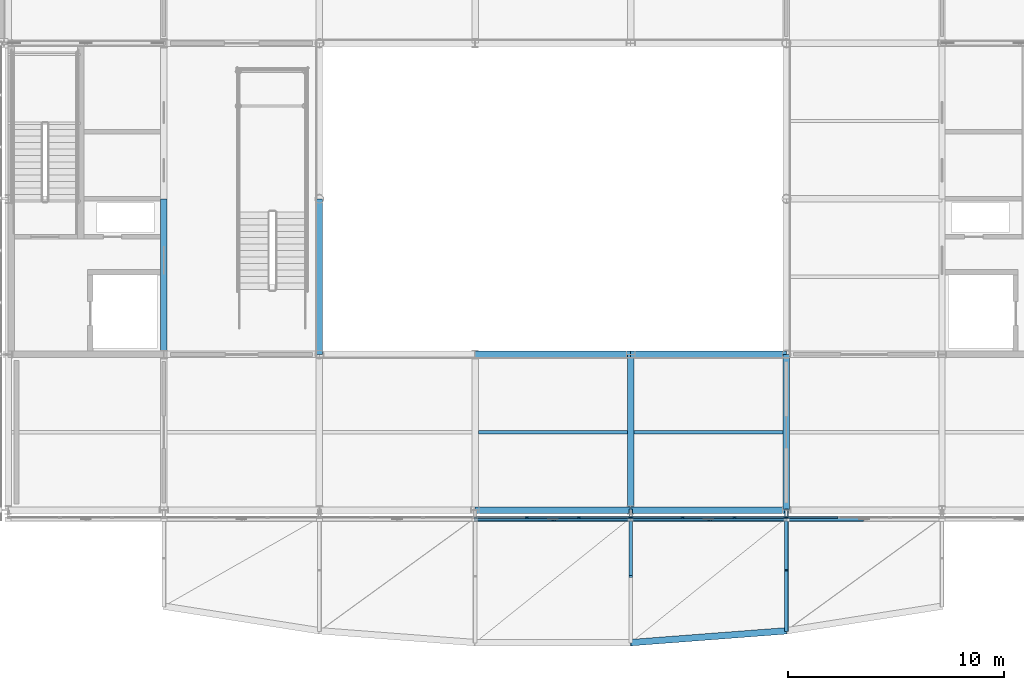
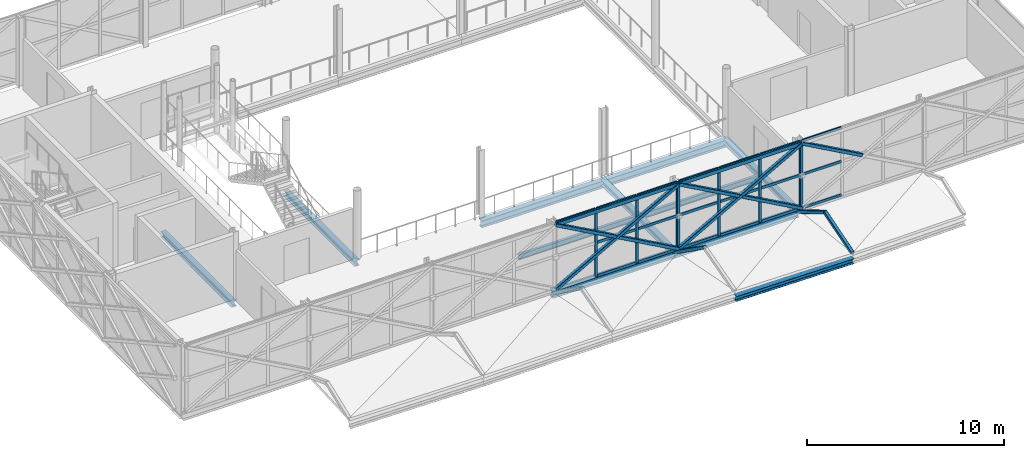
# One storey, part 39 of 146: 40 members, 10 beams, 3 elements without a shape of their own.
"""IFC4 building model written with IfcOpenShell, lengths in metres."""

from ifc_helpers import new_model, si_unit, direction, frame, origin, origin_2d, place, context, subcontext, project, spatial, rectangle, hollow_rectangle, i_section, extrude, material, material_profile, profile_set, type_object, element, aggregate, save


model = new_model("IFC4")

# Units and contexts
model_context = context("Model", 3, precision=1e-05, world=origin(), true_north=direction((0.0, 1.0)))
body_context = subcontext(model_context, "Body", "Model", "MODEL_VIEW")
ifc_project = project(units=[si_unit("LENGTHUNIT", "METRE"), si_unit("AREAUNIT", "SQUARE_METRE"), si_unit("VOLUMEUNIT", "CUBIC_METRE"), si_unit("PLANEANGLEUNIT", "RADIAN"), si_unit("MASSUNIT", "GRAM", prefix="KILO")], contexts=[model_context])

# Site, building, storey
site_placement = place(None, origin())
site = spatial("IfcSite", under=ifc_project, at=site_placement, CompositionType="ELEMENT")
building_placement = place(site_placement, origin())
building = spatial("IfcBuilding", under=site, at=building_placement, Name="Zlatovets Crest Museum", CompositionType="ELEMENT")
storey_placement = place(building_placement, frame((0.0, 0.0, 4.5)))
storey = spatial("IfcBuildingStorey", under=building, at=storey_placement, Name="L01", CompositionType="ELEMENT", Elevation=4.5)

# Beams
ifc_material_1 = material(Name="Structural steel S355J2", Category="steel")
ifc_material_profile_1 = material_profile(ifc_material_1, i_section(OverallWidth=0.300048828125, OverallDepth=0.35009765625, WebThickness=0.010009765625, FlangeThickness=0.017578125, FilletRadius=0.027099609375, at=origin_2d()), Name="HEA 360")
ifc_profile_set_1 = profile_set([ifc_material_profile_1], Name="Structural steel S355J2")
beam_type_1 = type_object("IfcBeamType", Name="Beam_B-03", PredefinedType="BEAM", material=ifc_profile_set_1)
for number, where, z_axis, x_axis, name in (
    (1, (64.800048828125, 7.199951171875, -0.39501953125), (0.0, 1.0, 0.0), (-1.0, 0.0, 0.0), "V2 L01 Grid Beam B-03"),
    (2, (72.0, 7.199951171875, -0.39501953125), (0.0, 1.0, 0.0), (-1.0, 0.0, 0.0), "V2 L01 Grid Beam B-03"),
    (3, (86.39990234375, 0.0, -0.39501953125), (0.0, 1.0, 0.0), (-1.0, 0.0, 0.0), "V2 L01 Grid Beam B-03"),
    (4, (93.60009765625, 0.0, -0.39501953125), (0.0, 1.0, 0.0), (-1.0, 0.0, 0.0), "V2 L01 Grid Beam B-03"),
):
    element("IfcBeam", number, at=place(storey_placement, frame(where, z_axis=z_axis, x_axis=x_axis)), inside=storey, type_object=beam_type_1, Name=name, PredefinedType="BEAM", context=body_context, shape_type="SweptSolid", body=[
        extrude(i_section(OverallWidth=0.300048828125, OverallDepth=0.35009765625, WebThickness=0.010009765625, FlangeThickness=0.017578125, FilletRadius=0.027099609375, at=origin_2d()), origin(), (0.0, 0.0, 1.0), 7.199951171875),
    ])
ifc_material_profile_2 = material_profile(ifc_material_1, i_section(OverallWidth=0.300048828125, OverallDepth=0.43994140625, WebThickness=0.011474609375, FlangeThickness=0.02099609375, FilletRadius=0.027099609375, at=origin_2d()), Name="HEA 450")
ifc_profile_set_2 = profile_set([ifc_material_profile_2], Name="Structural steel S355J2")
beam_type_2 = type_object("IfcBeamType", Name="Beam_B-10", PredefinedType="BEAM", material=ifc_profile_set_2)
beam_1_placement = place(storey_placement, frame((79.199951171875, 0.0, -0.43994140625), z_axis=(1.0, 0.0, 0.0), x_axis=(0.0, 1.0, 0.0)))
element("IfcBeam", 5, at=beam_1_placement, inside=storey, type_object=beam_type_2, Name="V2 L01 Primary Girder B-10", PredefinedType="BEAM", context=body_context, shape_type="SweptSolid", body=[
    extrude(i_section(OverallWidth=0.300048828125, OverallDepth=0.43994140625, WebThickness=0.011474609375, FlangeThickness=0.02099609375, FilletRadius=0.027099609375, at=origin_2d()), origin(), (0.0, 0.0, 1.0), 7.199951171875),
])
beam_2_placement = place(storey_placement, frame((86.39990234375, 0.0, -0.43994140625), z_axis=(1.0, 0.0, 0.0), x_axis=(0.0, 1.0, 0.0)))
element("IfcBeam", 6, at=beam_2_placement, inside=storey, type_object=beam_type_2, Name="V2 L01 Primary Girder B-10", PredefinedType="BEAM", context=body_context, shape_type="SweptSolid", body=[
    extrude(i_section(OverallWidth=0.300048828125, OverallDepth=0.43994140625, WebThickness=0.011474609375, FlangeThickness=0.02099609375, FilletRadius=0.027099609375, at=origin_2d()), origin(), (0.0, 0.0, 1.0), 7.2001953125),
])
beam_3_placement = place(storey_placement, frame((79.199951171875, 7.199951171875, -0.43994140625), z_axis=(1.0, 0.0, 0.0), x_axis=(0.0, 1.0, 0.0)))
element("IfcBeam", 7, at=beam_3_placement, inside=storey, type_object=beam_type_2, Name="V2 L01 Primary Girder B-10", PredefinedType="BEAM", context=body_context, shape_type="SweptSolid", body=[
    extrude(i_section(OverallWidth=0.300048828125, OverallDepth=0.43994140625, WebThickness=0.011474609375, FlangeThickness=0.02099609375, FilletRadius=0.027099609375, at=origin_2d()), origin(), (0.0, 0.0, 1.0), 7.199951171875),
])
beam_4_placement = place(storey_placement, frame((86.39990234375, 7.199951171875, -0.43994140625), z_axis=(1.0, 0.0, 0.0), x_axis=(0.0, 1.0, 0.0)))
element("IfcBeam", 8, at=beam_4_placement, inside=storey, type_object=beam_type_2, Name="V2 L01 Primary Girder B-10", PredefinedType="BEAM", context=body_context, shape_type="SweptSolid", body=[
    extrude(i_section(OverallWidth=0.300048828125, OverallDepth=0.43994140625, WebThickness=0.011474609375, FlangeThickness=0.02099609375, FilletRadius=0.027099609375, at=origin_2d()), origin(), (0.0, 0.0, 1.0), 7.2001953125),
])
ifc_material_profile_3 = material_profile(ifc_material_1, i_section(OverallWidth=0.159912109375, OverallDepth=0.330078125, WebThickness=0.007568359375, FlangeThickness=0.011474609375, FilletRadius=0.01806640625, at=origin_2d()), Name="IPE 330")
ifc_profile_set_3 = profile_set([ifc_material_profile_3], Name="Structural steel S355J2")
beam_type_3 = type_object("IfcBeamType", Name="Beam_J-09", PredefinedType="JOIST", material=ifc_profile_set_3)
for number, where, z_axis, x_axis, name in (
    (9, (79.35009765625, 3.60009765625, -0.385009765625), (1.0, 0.0, 0.0), (0.0, 1.0, 0.0), "V2 L01 Composite Joist J-09"),
    (10, (86.550048828125, 3.60009765625, -0.385009765625), (1.0, 0.0, 0.0), (0.0, 1.0, 0.0), "V2 L01 Composite Joist J-09"),
):
    element("IfcBeam", number, at=place(storey_placement, frame(where, z_axis=z_axis, x_axis=x_axis)), inside=storey, type_object=beam_type_3, Name=name, PredefinedType="JOIST", context=body_context, shape_type="SweptSolid", body=[
        extrude(i_section(OverallWidth=0.159912109375, OverallDepth=0.330078125, WebThickness=0.007568359375, FlangeThickness=0.011474609375, FilletRadius=0.01806640625, at=origin_2d()), origin(), (0.0, 0.0, 1.0), 6.89990234375),
    ])

# Curtain wall, members
ifc_material_2 = material(Name="Bronze-anodised aluminium and low-E triple glass", Category="aluminium")
curtain_wall_type_1 = type_object("IfcCurtainWallType", Name="CW_CW-V2-L01-M3", PredefinedType="NOTDEFINED", material=ifc_material_2)
curtain_wall_1_placement = place(storey_placement, origin())
curtain_wall_1 = element("IfcCurtainWall", 11, at=curtain_wall_1_placement, inside=storey, type_object=curtain_wall_type_1, Name="V2 L01 Secession Foyer Clear Curtain Wall", PredefinedType="NOTDEFINED")
ifc_material_3 = material(Name="Bronze-anodised aluminium EN AW-6060", Category="aluminium")
ifc_material_profile_4 = material_profile(ifc_material_3, rectangle(XDim=0.080078125, YDim=0.159912109375, at=origin_2d()), Name="ALU 80x160")
ifc_profile_set_4 = profile_set([ifc_material_profile_4], Name="Bronze-anodised aluminium EN AW-6060")
member_type_1 = type_object("IfcMemberType", Name="CWMull_M1", PredefinedType="MULLION", material=ifc_profile_set_4)
member_1_placement = place(storey_placement, frame((81.60009765625, -0.340087890625, 0.0), z_axis=(0.0, 0.0, 1.0), x_axis=(0.0, 1.0, 0.0)))
member_1 = element("IfcMember", 12, at=member_1_placement, type_object=member_type_1, Name="CW-V2-L01-M3 mullion 2", PredefinedType="MULLION", context=body_context, shape_type="SweptSolid", body=[
    extrude(rectangle(XDim=0.080078125, YDim=0.159912109375, at=origin_2d()), origin(), (0.0, 0.0, 1.0), 4.199951171875),
])
member_2_placement = place(storey_placement, frame((84.0, -0.340087890625, 0.0), z_axis=(0.0, 0.0, 1.0), x_axis=(0.0, 1.0, 0.0)))
member_2 = element("IfcMember", 13, at=member_2_placement, type_object=member_type_1, Name="CW-V2-L01-M3 mullion 3", PredefinedType="MULLION", context=body_context, shape_type="SweptSolid", body=[
    extrude(rectangle(XDim=0.080078125, YDim=0.159912109375, at=origin_2d()), origin(), (0.0, 0.0, 1.0), 4.199951171875),
])
member_3_placement = place(storey_placement, frame((86.3701171875, -0.340087890625, 0.0), z_axis=(0.0, 0.0, 1.0), x_axis=(0.0, 1.0, 0.0)))
member_3 = element("IfcMember", 14, at=member_3_placement, type_object=member_type_1, Name="CW-V2-L01-M3 mullion 4", PredefinedType="MULLION", context=body_context, shape_type="SweptSolid", body=[
    extrude(rectangle(XDim=0.080078125, YDim=0.159912109375, at=origin_2d()), origin(), (0.0, 0.0, 1.0), 4.199951171875),
])

curtain_wall_type_2 = type_object("IfcCurtainWallType", Name="CW_CW-V2-L01-M0", PredefinedType="NOTDEFINED", material=ifc_material_2)
curtain_wall_2_placement = place(storey_placement, origin())
curtain_wall_2 = element("IfcCurtainWall", 15, at=curtain_wall_2_placement, inside=storey, type_object=curtain_wall_type_2, Name="V2 L01 Secession Foyer Clear Curtain Wall", PredefinedType="NOTDEFINED")
member_4_placement = place(storey_placement, frame((86.429931640625, -0.340087890625, 0.0), z_axis=(0.0, 0.0, 1.0), x_axis=(0.0, 1.0, 0.0)))
member_4 = element("IfcMember", 16, at=member_4_placement, type_object=member_type_1, Name="CW-V2-L01-M0 mullion 1", PredefinedType="MULLION", context=body_context, shape_type="SweptSolid", body=[
    extrude(rectangle(XDim=0.080078125, YDim=0.159912109375, at=origin_2d()), origin(), (0.0, 0.0, 1.0), 4.199951171875),
])
member_5_placement = place(storey_placement, frame((88.800048828125, -0.340087890625, 0.0), z_axis=(0.0, 0.0, 1.0), x_axis=(0.0, 1.0, 0.0)))
member_5 = element("IfcMember", 17, at=member_5_placement, type_object=member_type_1, Name="CW-V2-L01-M0 mullion 2", PredefinedType="MULLION", context=body_context, shape_type="SweptSolid", body=[
    extrude(rectangle(XDim=0.080078125, YDim=0.159912109375, at=origin_2d()), origin(), (0.0, 0.0, 1.0), 4.199951171875),
])
member_6_placement = place(storey_placement, frame((91.199951171875, -0.340087890625, 0.0), z_axis=(0.0, 0.0, 1.0), x_axis=(0.0, 1.0, 0.0)))
member_6 = element("IfcMember", 18, at=member_6_placement, type_object=member_type_1, Name="CW-V2-L01-M0 mullion 3", PredefinedType="MULLION", context=body_context, shape_type="SweptSolid", body=[
    extrude(rectangle(XDim=0.080078125, YDim=0.159912109375, at=origin_2d()), origin(), (0.0, 0.0, 1.0), 4.199951171875),
])
member_7_placement = place(storey_placement, frame((93.570068359375, -0.340087890625, 0.0), z_axis=(0.0, 0.0, 1.0), x_axis=(0.0, 1.0, 0.0)))
member_7 = element("IfcMember", 19, at=member_7_placement, type_object=member_type_1, Name="CW-V2-L01-M0 mullion 4", PredefinedType="MULLION", context=body_context, shape_type="SweptSolid", body=[
    extrude(rectangle(XDim=0.080078125, YDim=0.159912109375, at=origin_2d()), origin(), (0.0, 0.0, 1.0), 4.199951171875),
])

# Curtain wall, member
curtain_wall_type_3 = type_object("IfcCurtainWallType", Name="CW_CW-V2-L01-M1", PredefinedType="NOTDEFINED", material=ifc_material_2)
curtain_wall_3_placement = place(storey_placement, origin())
curtain_wall_3 = element("IfcCurtainWall", 20, at=curtain_wall_3_placement, inside=storey, type_object=curtain_wall_type_3, Name="V2 L01 Secession Foyer Clear Curtain Wall", PredefinedType="NOTDEFINED")
member_8_placement = place(storey_placement, frame((93.6298828125, -0.340087890625, 0.0), z_axis=(0.0, 0.0, 1.0), x_axis=(0.0, 1.0, 0.0)))
member_8 = element("IfcMember", 21, at=member_8_placement, type_object=member_type_1, Name="CW-V2-L01-M1 mullion 1", PredefinedType="MULLION", context=body_context, shape_type="SweptSolid", body=[
    extrude(rectangle(XDim=0.080078125, YDim=0.159912109375, at=origin_2d()), origin(), (0.0, 0.0, 1.0), 4.199951171875),
])

# Member
ifc_material_profile_5 = material_profile(ifc_material_3, rectangle(XDim=0.080078125, YDim=0.159912109375, at=origin_2d()), Name="ALU 80x160")
ifc_profile_set_5 = profile_set([ifc_material_profile_5], Name="Bronze-anodised aluminium EN AW-6060")
member_type_2 = type_object("IfcMemberType", Name="CWTrans_T1", PredefinedType="USERDEFINED", material=ifc_profile_set_5)
member_9_placement = place(storey_placement, frame((79.260009765625, -0.340087890625, 4.169921875), z_axis=(1.0, 0.0, 0.0), x_axis=(0.0, 1.0, 0.0)))
member_9 = element("IfcMember", 22, at=member_9_placement, type_object=member_type_2, Name="CW-V2-L01-M3 transom 1.3", ObjectType="TRANSOM", PredefinedType="USERDEFINED", context=body_context, shape_type="SweptSolid", body=[
    extrude(rectangle(XDim=0.080078125, YDim=0.159912109375, at=origin_2d()), origin(), (0.0, 0.0, 1.0), 2.31005859375),
])

member_10_placement = place(storey_placement, frame((81.6298828125, -0.340087890625, 0.030029296875), z_axis=(1.0, 0.0, 0.0), x_axis=(0.0, 1.0, 0.0)))
member_10 = element("IfcMember", 23, at=member_10_placement, type_object=member_type_2, Name="CW-V2-L01-M3 transom 2.1", ObjectType="TRANSOM", PredefinedType="USERDEFINED", context=body_context, shape_type="SweptSolid", body=[
    extrude(rectangle(XDim=0.080078125, YDim=0.159912109375, at=origin_2d()), origin(), (0.0, 0.0, 1.0), 2.340087890625),
])

member_11_placement = place(storey_placement, frame((81.6298828125, -0.340087890625, 2.10009765625), z_axis=(1.0, 0.0, 0.0), x_axis=(0.0, 1.0, 0.0)))
member_11 = element("IfcMember", 24, at=member_11_placement, type_object=member_type_2, Name="CW-V2-L01-M3 transom 2.2", ObjectType="TRANSOM", PredefinedType="USERDEFINED", context=body_context, shape_type="SweptSolid", body=[
    extrude(rectangle(XDim=0.080078125, YDim=0.159912109375, at=origin_2d()), origin(), (0.0, 0.0, 1.0), 2.340087890625),
])

member_12_placement = place(storey_placement, frame((81.6298828125, -0.340087890625, 4.169921875), z_axis=(1.0, 0.0, 0.0), x_axis=(0.0, 1.0, 0.0)))
member_12 = element("IfcMember", 25, at=member_12_placement, type_object=member_type_2, Name="CW-V2-L01-M3 transom 2.3", ObjectType="TRANSOM", PredefinedType="USERDEFINED", context=body_context, shape_type="SweptSolid", body=[
    extrude(rectangle(XDim=0.080078125, YDim=0.159912109375, at=origin_2d()), origin(), (0.0, 0.0, 1.0), 2.340087890625),
])

member_13_placement = place(storey_placement, frame((84.030029296875, -0.340087890625, 0.030029296875), z_axis=(1.0, 0.0, 0.0), x_axis=(0.0, 1.0, 0.0)))
member_13 = element("IfcMember", 26, at=member_13_placement, type_object=member_type_2, Name="CW-V2-L01-M3 transom 3.1", ObjectType="TRANSOM", PredefinedType="USERDEFINED", context=body_context, shape_type="SweptSolid", body=[
    extrude(rectangle(XDim=0.080078125, YDim=0.159912109375, at=origin_2d()), origin(), (0.0, 0.0, 1.0), 2.31005859375),
])

member_14_placement = place(storey_placement, frame((84.030029296875, -0.340087890625, 2.10009765625), z_axis=(1.0, 0.0, 0.0), x_axis=(0.0, 1.0, 0.0)))
member_14 = element("IfcMember", 27, at=member_14_placement, type_object=member_type_2, Name="CW-V2-L01-M3 transom 3.2", ObjectType="TRANSOM", PredefinedType="USERDEFINED", context=body_context, shape_type="SweptSolid", body=[
    extrude(rectangle(XDim=0.080078125, YDim=0.159912109375, at=origin_2d()), origin(), (0.0, 0.0, 1.0), 2.31005859375),
])

member_15_placement = place(storey_placement, frame((84.030029296875, -0.340087890625, 4.169921875), z_axis=(1.0, 0.0, 0.0), x_axis=(0.0, 1.0, 0.0)))
member_15 = element("IfcMember", 28, at=member_15_placement, type_object=member_type_2, Name="CW-V2-L01-M3 transom 3.3", ObjectType="TRANSOM", PredefinedType="USERDEFINED", context=body_context, shape_type="SweptSolid", body=[
    extrude(rectangle(XDim=0.080078125, YDim=0.159912109375, at=origin_2d()), origin(), (0.0, 0.0, 1.0), 2.31005859375),
])

aggregate(curtain_wall_1, [member_1, member_2, member_3, member_9, member_10, member_11, member_12, member_13, member_14, member_15])

member_16_placement = place(storey_placement, frame((86.4599609375, -0.340087890625, 0.030029296875), z_axis=(1.0, 0.0, 0.0), x_axis=(0.0, 1.0, 0.0)))
member_16 = element("IfcMember", 29, at=member_16_placement, type_object=member_type_2, Name="CW-V2-L01-M0 transom 1.1", ObjectType="TRANSOM", PredefinedType="USERDEFINED", context=body_context, shape_type="SweptSolid", body=[
    extrude(rectangle(XDim=0.080078125, YDim=0.159912109375, at=origin_2d()), origin(), (0.0, 0.0, 1.0), 2.31005859375),
])

member_17_placement = place(storey_placement, frame((86.4599609375, -0.340087890625, 2.10009765625), z_axis=(1.0, 0.0, 0.0), x_axis=(0.0, 1.0, 0.0)))
member_17 = element("IfcMember", 30, at=member_17_placement, type_object=member_type_2, Name="CW-V2-L01-M0 transom 1.2", ObjectType="TRANSOM", PredefinedType="USERDEFINED", context=body_context, shape_type="SweptSolid", body=[
    extrude(rectangle(XDim=0.080078125, YDim=0.159912109375, at=origin_2d()), origin(), (0.0, 0.0, 1.0), 2.31005859375),
])

member_18_placement = place(storey_placement, frame((86.4599609375, -0.340087890625, 4.169921875), z_axis=(1.0, 0.0, 0.0), x_axis=(0.0, 1.0, 0.0)))
member_18 = element("IfcMember", 31, at=member_18_placement, type_object=member_type_2, Name="CW-V2-L01-M0 transom 1.3", ObjectType="TRANSOM", PredefinedType="USERDEFINED", context=body_context, shape_type="SweptSolid", body=[
    extrude(rectangle(XDim=0.080078125, YDim=0.159912109375, at=origin_2d()), origin(), (0.0, 0.0, 1.0), 2.31005859375),
])

member_19_placement = place(storey_placement, frame((88.830078125, -0.340087890625, 0.030029296875), z_axis=(1.0, 0.0, 0.0), x_axis=(0.0, 1.0, 0.0)))
member_19 = element("IfcMember", 32, at=member_19_placement, type_object=member_type_2, Name="CW-V2-L01-M0 transom 2.1", ObjectType="TRANSOM", PredefinedType="USERDEFINED", context=body_context, shape_type="SweptSolid", body=[
    extrude(rectangle(XDim=0.080078125, YDim=0.159912109375, at=origin_2d()), origin(), (0.0, 0.0, 1.0), 2.33984375),
])

member_20_placement = place(storey_placement, frame((88.830078125, -0.340087890625, 2.10009765625), z_axis=(1.0, 0.0, 0.0), x_axis=(0.0, 1.0, 0.0)))
member_20 = element("IfcMember", 33, at=member_20_placement, type_object=member_type_2, Name="CW-V2-L01-M0 transom 2.2", ObjectType="TRANSOM", PredefinedType="USERDEFINED", context=body_context, shape_type="SweptSolid", body=[
    extrude(rectangle(XDim=0.080078125, YDim=0.159912109375, at=origin_2d()), origin(), (0.0, 0.0, 1.0), 2.33984375),
])

member_21_placement = place(storey_placement, frame((88.830078125, -0.340087890625, 4.169921875), z_axis=(1.0, 0.0, 0.0), x_axis=(0.0, 1.0, 0.0)))
member_21 = element("IfcMember", 34, at=member_21_placement, type_object=member_type_2, Name="CW-V2-L01-M0 transom 2.3", ObjectType="TRANSOM", PredefinedType="USERDEFINED", context=body_context, shape_type="SweptSolid", body=[
    extrude(rectangle(XDim=0.080078125, YDim=0.159912109375, at=origin_2d()), origin(), (0.0, 0.0, 1.0), 2.33984375),
])

member_22_placement = place(storey_placement, frame((91.22998046875, -0.340087890625, 0.030029296875), z_axis=(1.0, 0.0, 0.0), x_axis=(0.0, 1.0, 0.0)))
member_22 = element("IfcMember", 35, at=member_22_placement, type_object=member_type_2, Name="CW-V2-L01-M0 transom 3.1", ObjectType="TRANSOM", PredefinedType="USERDEFINED", context=body_context, shape_type="SweptSolid", body=[
    extrude(rectangle(XDim=0.080078125, YDim=0.159912109375, at=origin_2d()), origin(), (0.0, 0.0, 1.0), 2.31005859375),
])

member_23_placement = place(storey_placement, frame((91.22998046875, -0.340087890625, 2.10009765625), z_axis=(1.0, 0.0, 0.0), x_axis=(0.0, 1.0, 0.0)))
member_23 = element("IfcMember", 36, at=member_23_placement, type_object=member_type_2, Name="CW-V2-L01-M0 transom 3.2", ObjectType="TRANSOM", PredefinedType="USERDEFINED", context=body_context, shape_type="SweptSolid", body=[
    extrude(rectangle(XDim=0.080078125, YDim=0.159912109375, at=origin_2d()), origin(), (0.0, 0.0, 1.0), 2.31005859375),
])

member_24_placement = place(storey_placement, frame((91.22998046875, -0.340087890625, 4.169921875), z_axis=(1.0, 0.0, 0.0), x_axis=(0.0, 1.0, 0.0)))
member_24 = element("IfcMember", 37, at=member_24_placement, type_object=member_type_2, Name="CW-V2-L01-M0 transom 3.3", ObjectType="TRANSOM", PredefinedType="USERDEFINED", context=body_context, shape_type="SweptSolid", body=[
    extrude(rectangle(XDim=0.080078125, YDim=0.159912109375, at=origin_2d()), origin(), (0.0, 0.0, 1.0), 2.31005859375),
])

aggregate(curtain_wall_2, [member_4, member_5, member_6, member_7, member_16, member_17, member_18, member_19, member_20, member_21, member_22, member_23, member_24])

member_25_placement = place(storey_placement, frame((93.659912109375, -0.340087890625, 0.030029296875), z_axis=(1.0, 0.0, 0.0), x_axis=(0.0, 1.0, 0.0)))
member_25 = element("IfcMember", 38, at=member_25_placement, type_object=member_type_2, Name="CW-V2-L01-M1 transom 1.1", ObjectType="TRANSOM", PredefinedType="USERDEFINED", context=body_context, shape_type="SweptSolid", body=[
    extrude(rectangle(XDim=0.080078125, YDim=0.159912109375, at=origin_2d()), origin(), (0.0, 0.0, 1.0), 2.31005859375),
])

member_26_placement = place(storey_placement, frame((93.659912109375, -0.340087890625, 2.10009765625), z_axis=(1.0, 0.0, 0.0), x_axis=(0.0, 1.0, 0.0)))
member_26 = element("IfcMember", 39, at=member_26_placement, type_object=member_type_2, Name="CW-V2-L01-M1 transom 1.2", ObjectType="TRANSOM", PredefinedType="USERDEFINED", context=body_context, shape_type="SweptSolid", body=[
    extrude(rectangle(XDim=0.080078125, YDim=0.159912109375, at=origin_2d()), origin(), (0.0, 0.0, 1.0), 2.31005859375),
])

member_27_placement = place(storey_placement, frame((93.659912109375, -0.340087890625, 4.169921875), z_axis=(1.0, 0.0, 0.0), x_axis=(0.0, 1.0, 0.0)))
member_27 = element("IfcMember", 40, at=member_27_placement, type_object=member_type_2, Name="CW-V2-L01-M1 transom 1.3", ObjectType="TRANSOM", PredefinedType="USERDEFINED", context=body_context, shape_type="SweptSolid", body=[
    extrude(rectangle(XDim=0.080078125, YDim=0.159912109375, at=origin_2d()), origin(), (0.0, 0.0, 1.0), 2.31005859375),
])

aggregate(curtain_wall_3, [member_8, member_25, member_26, member_27])

# Members
ifc_material_4 = material(Name="Weathering bronze-steel S355J2W", Category="steel")
ifc_material_profile_6 = material_profile(ifc_material_4, hollow_rectangle(XDim=0.199951171875, YDim=0.199951171875, WallThickness=0.012451171875, InnerFilletRadius=0.012451171875, OuterFilletRadius=0.02490234375, at=origin_2d()), Name="SHS 200x200x12.5")
ifc_profile_set_6 = profile_set([ifc_material_profile_6], Name="Weathering bronze-steel S355J2W")
member_type_3 = type_object("IfcMemberType", Name="Lattice_XL-02", PredefinedType="BRACE", material=ifc_profile_set_6)
member_28_placement = place(storey_placement, frame((79.199951171875, -0.419921875, 0.10009765625), z_axis=(0.874155877937, 0.0, 0.485645447903), x_axis=(0.0, 1.0, 0.0)))
element("IfcMember", 41, at=member_28_placement, inside=storey, type_object=member_type_3, Name="Continuous Bronze Lattice Diagonal", PredefinedType="BRACE", context=body_context, shape_type="SweptSolid", body=[
    extrude(hollow_rectangle(XDim=0.199951171875, YDim=0.199951171875, WallThickness=0.012451171875, InnerFilletRadius=0.012451171875, OuterFilletRadius=0.02490234375, at=origin_2d()), origin(), (0.0, 0.0, 1.0), 8.236572265625),
])
member_29_placement = place(storey_placement, frame((79.199951171875, -0.419921875, 4.10009765625), z_axis=(0.874140102304, 0.0, -0.485673842763), x_axis=(0.0, 1.0, 0.0)))
element("IfcMember", 42, at=member_29_placement, inside=storey, type_object=member_type_3, Name="Split Crossing Bronze Lattice Diagonal Upper", PredefinedType="BRACE", context=body_context, shape_type="SweptSolid", body=[
    extrude(hollow_rectangle(XDim=0.199951171875, YDim=0.199951171875, WallThickness=0.012451171875, InnerFilletRadius=0.012451171875, OuterFilletRadius=0.02490234375, at=origin_2d()), origin(), (0.0, 0.0, 1.0), 4.0234375),
])
member_30_placement = place(storey_placement, frame((82.883056640625, -0.419921875, 2.053955078125), z_axis=(0.874151551165, 0.0, -0.485653235958), x_axis=(0.0, 1.0, 0.0)))
element("IfcMember", 43, at=member_30_placement, inside=storey, type_object=member_type_3, Name="Split Crossing Bronze Lattice Diagonal Lower", PredefinedType="BRACE", context=body_context, shape_type="SweptSolid", body=[
    extrude(hollow_rectangle(XDim=0.199951171875, YDim=0.199951171875, WallThickness=0.012451171875, InnerFilletRadius=0.012451171875, OuterFilletRadius=0.02490234375, at=origin_2d()), origin(), (0.0, 0.0, 1.0), 4.023193359375),
])
member_31_placement = place(storey_placement, frame((86.39990234375, -0.419921875, 0.10009765625), z_axis=(0.874162868644, 0.0, 0.485632864501), x_axis=(0.0, 1.0, 0.0)))
element("IfcMember", 44, at=member_31_placement, inside=storey, type_object=member_type_3, Name="Continuous Bronze Lattice Diagonal", PredefinedType="BRACE", context=body_context, shape_type="SweptSolid", body=[
    extrude(hollow_rectangle(XDim=0.199951171875, YDim=0.199951171875, WallThickness=0.012451171875, InnerFilletRadius=0.012451171875, OuterFilletRadius=0.02490234375, at=origin_2d()), origin(), (0.0, 0.0, 1.0), 8.236572265625),
])
for number, where, z_axis, x_axis, name in (
    (45, (86.39990234375, -0.419921875, 4.10009765625), (0.874140102304, 0.0, -0.485673842763), (0.0, 1.0, 0.0), "Split Crossing Bronze Lattice Diagonal Upper"),
    (46, (90.0830078125, -0.419921875, 2.053955078125), (0.874165862873, 0.0, -0.485627474703), (0.0, 1.0, 0.0), "Split Crossing Bronze Lattice Diagonal Lower"),
):
    element("IfcMember", number, at=place(storey_placement, frame(where, z_axis=z_axis, x_axis=x_axis)), inside=storey, type_object=member_type_3, Name=name, PredefinedType="BRACE", context=body_context, shape_type="SweptSolid", body=[
        extrude(hollow_rectangle(XDim=0.199951171875, YDim=0.199951171875, WallThickness=0.012451171875, InnerFilletRadius=0.012451171875, OuterFilletRadius=0.02490234375, at=origin_2d()), origin(), (0.0, 0.0, 1.0), 4.0234375),
    ])
member_32_placement = place(storey_placement, frame((93.60009765625, -0.419921875, 4.10009765625), z_axis=(0.874125788284, 0.0, -0.485699604958), x_axis=(0.0, 1.0, 0.0)))
element("IfcMember", 47, at=member_32_placement, inside=storey, type_object=member_type_3, Name="Split Crossing Bronze Lattice Diagonal Upper", PredefinedType="BRACE", context=body_context, shape_type="SweptSolid", body=[
    extrude(hollow_rectangle(XDim=0.199951171875, YDim=0.199951171875, WallThickness=0.012451171875, InnerFilletRadius=0.012451171875, OuterFilletRadius=0.02490234375, at=origin_2d()), origin(), (0.0, 0.0, 1.0), 4.023193359375),
])
ifc_material_profile_7 = material_profile(ifc_material_4, hollow_rectangle(XDim=0.1201171875, YDim=0.239990234375, WallThickness=0.010009765625, InnerFilletRadius=0.010009765625, OuterFilletRadius=0.02001953125, at=origin_2d()), Name="RHS 120x240x10.0")
ifc_profile_set_7 = profile_set([ifc_material_profile_7], Name="Weathering bronze-steel S355J2W")
member_type_4 = type_object("IfcMemberType", Name="Lattice_XL-04", PredefinedType="CHORD", material=ifc_profile_set_7)
member_33_placement = place(storey_placement, frame((79.199951171875, -0.419921875, 4.10009765625), z_axis=(1.0, 0.0, 0.0), x_axis=(0.0, 1.0, 0.0)))
element("IfcMember", 48, at=member_33_placement, inside=storey, type_object=member_type_4, Name="Art Nouveau Woven Cage Collector Ring Chord", PredefinedType="CHORD", context=body_context, shape_type="SweptSolid", body=[
    extrude(hollow_rectangle(XDim=0.1201171875, YDim=0.239990234375, WallThickness=0.010009765625, InnerFilletRadius=0.010009765625, OuterFilletRadius=0.02001953125, at=origin_2d()), origin(), (0.0, 0.0, 1.0), 7.199951171875),
])
member_34_placement = place(storey_placement, frame((86.39990234375, -0.419921875, 4.10009765625), z_axis=(1.0, 0.0, 0.0), x_axis=(0.0, 1.0, 0.0)))
element("IfcMember", 49, at=member_34_placement, inside=storey, type_object=member_type_4, Name="Art Nouveau Woven Cage Collector Ring Chord", PredefinedType="CHORD", context=body_context, shape_type="SweptSolid", body=[
    extrude(hollow_rectangle(XDim=0.1201171875, YDim=0.239990234375, WallThickness=0.010009765625, InnerFilletRadius=0.010009765625, OuterFilletRadius=0.02001953125, at=origin_2d()), origin(), (0.0, 0.0, 1.0), 7.2001953125),
])
ifc_material_profile_8 = material_profile(ifc_material_1, i_section(OverallWidth=0.300048828125, OverallDepth=0.31005859375, WebThickness=0.009033203125, FlangeThickness=0.015380859375, FilletRadius=0.027099609375, at=origin_2d()), Name="HEA 320")
ifc_profile_set_8 = profile_set([ifc_material_profile_8], Name="Structural steel S355J2")
member_type_5 = type_object("IfcMemberType", Name="Member_TM-02", PredefinedType="RAFTER", material=ifc_profile_set_8)
member_35_placement = place(storey_placement, frame((86.39990234375, -6.13232421875, 0.511474609375), z_axis=(0.994656736944, 0.075648143936, -0.070251932153), x_axis=(-0.075835512193, 0.997120341328, 0.0)))
element("IfcMember", 50, at=member_35_placement, inside=storey, type_object=member_type_5, Name="Art Nouveau Curved Marquee Arch Fascia", PredefinedType="RAFTER", context=body_context, shape_type="SweptSolid", body=[
    extrude(i_section(OverallWidth=0.300048828125, OverallDepth=0.31005859375, WebThickness=0.009033203125, FlangeThickness=0.015380859375, FilletRadius=0.027099609375, at=origin_2d()), origin(), (0.0, 0.0, 1.0), 7.23876953125),
])
ifc_material_profile_9 = material_profile(ifc_material_1, hollow_rectangle(XDim=0.179931640625, YDim=0.179931640625, WallThickness=0.010009765625, InnerFilletRadius=0.010009765625, OuterFilletRadius=0.02001953125, at=origin_2d()), Name="SHS 180x180x10.0")
ifc_profile_set_9 = profile_set([ifc_material_profile_9], Name="Structural steel S355J2")
member_type_6 = type_object("IfcMemberType", Name="Member_TM-04", PredefinedType="STRUT", material=ifc_profile_set_9)
member_36_placement = place(storey_placement, frame((86.39990234375, 0.0, -0.39990234375), z_axis=(0.0, -0.814827970707, 0.579702836075), x_axis=(1.0, 0.0, 0.0)))
element("IfcMember", 51, at=member_36_placement, inside=storey, type_object=member_type_6, Name="Art Nouveau Marquee Vault Rib Inner", PredefinedType="STRUT", context=body_context, shape_type="SweptSolid", body=[
    extrude(hollow_rectangle(XDim=0.179931640625, YDim=0.179931640625, WallThickness=0.010009765625, InnerFilletRadius=0.010009765625, OuterFilletRadius=0.02001953125, at=origin_2d()), origin(), (0.0, 0.0, 1.0), 3.762939453125),
])
member_37_placement = place(storey_placement, frame((93.60009765625, 0.0, -0.39990234375), z_axis=(0.0, -0.857830262938, 0.513933108477), x_axis=(1.0, 0.0, 0.0)))
element("IfcMember", 52, at=member_37_placement, inside=storey, type_object=member_type_6, Name="Art Nouveau Marquee Vault Rib Inner", PredefinedType="STRUT", context=body_context, shape_type="SweptSolid", body=[
    extrude(hollow_rectangle(XDim=0.179931640625, YDim=0.179931640625, WallThickness=0.010009765625, InnerFilletRadius=0.010009765625, OuterFilletRadius=0.02001953125, at=origin_2d()), origin(), (0.0, 0.0, 1.0), 3.2548828125),
])
member_38_placement = place(storey_placement, frame((93.60009765625, -2.792236328125, 1.27294921875), z_axis=(0.0, -0.956653619728, -0.291228178344), x_axis=(1.0, 0.0, 0.0)))
element("IfcMember", 53, at=member_38_placement, inside=storey, type_object=member_type_6, Name="Art Nouveau Marquee Vault Rib Outer", PredefinedType="STRUT", context=body_context, shape_type="SweptSolid", body=[
    extrude(hollow_rectangle(XDim=0.179931640625, YDim=0.179931640625, WallThickness=0.010009765625, InnerFilletRadius=0.010009765625, OuterFilletRadius=0.02001953125, at=origin_2d()), origin(), (0.0, 0.0, 1.0), 2.9189453125),
])

save(model, "model.ifc")
